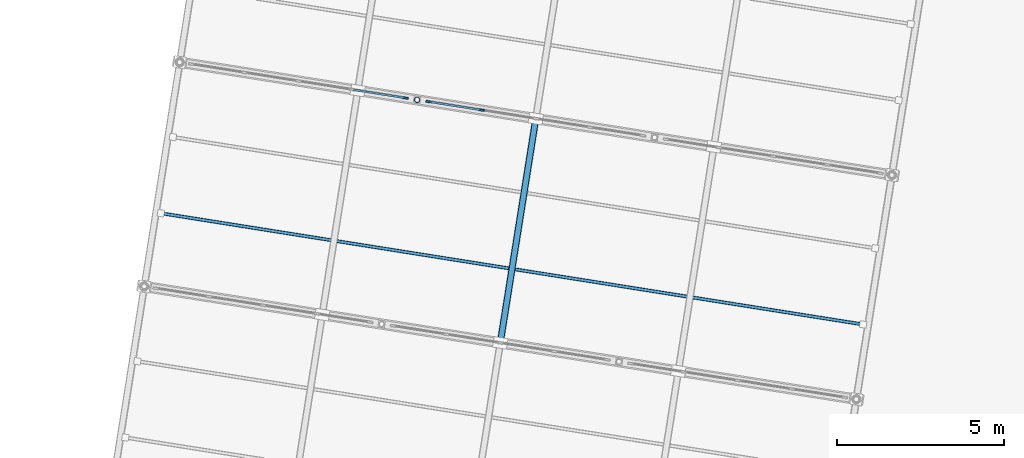
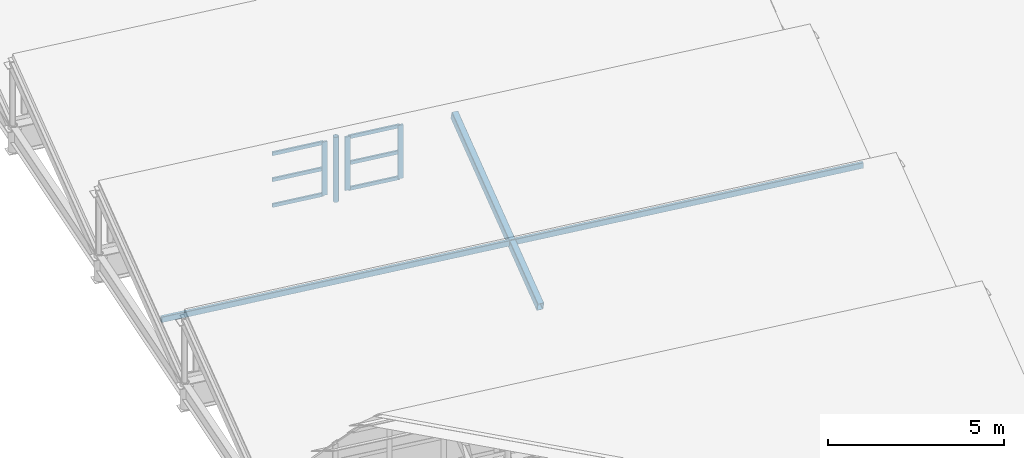
# One storey, part 41 of 65: 12 members, 2 elements without a shape of their own.
"""IFC4 building model written with IfcOpenShell, lengths in metres."""

import ifcopenshell
import ifcopenshell.guid

model = None  # the IFC model being written
_history = None  # IfcOwnerHistory: only IFC2X3 demands one
_inside = {}  # id of a spatial element -> (the spatial element, [elements in it])
_under = {}  # id of a project, library or spatial element -> (it, [spatial elements below it])
_declared = {}  # id of a project -> (the project, [libraries it declares])
_typed = {}  # id of a type object -> (the type object, [elements of that type])
_made_of = {}  # id of a material, layer set ... -> (it, [elements and type objects made of it])


def new_model(schema):
    """Start an empty IFC model of exactly this schema.

    Asked for "IFC4X3", IfcOpenShell would pick the latest addendum, in which some entities
    have other attributes; the version numbers below select the first issue.
    IFC2X3 requires an IfcOwnerHistory on every rooted entity: one is made here for all.
    """
    global model, _history
    if schema == "IFC4X3":
        model = ifcopenshell.file(schema_version=(4, 3, 0, 0))
    else:
        model = ifcopenshell.file(schema=schema)
    _inside.clear()
    _under.clear()
    _declared.clear()
    _typed.clear()
    _made_of.clear()
    _history = None
    if model.schema == "IFC2X3":
        org = make("IfcOrganization", Name="unknown")
        user = make(
            "IfcPersonAndOrganization",
            ThePerson=make("IfcPerson", FamilyName="unknown"),
            TheOrganization=org,
        )
        app = make(
            "IfcApplication",
            ApplicationDeveloper=org,
            Version="unknown",
            ApplicationFullName="unknown",
            ApplicationIdentifier="unknown",
        )
        _history = make(
            "IfcOwnerHistory",
            OwningUser=user,
            OwningApplication=app,
            ChangeAction="ADDED",
            CreationDate=0,
        )
    return model


def make(cls, **values):
    """One entity of the class cls with the attributes given. An attribute that is None is left unset."""
    return model.create_entity(
        cls, **{name: value for name, value in values.items() if value is not None}
    )


def rooted(cls, **values):
    """An entity with a GlobalId (a new one), such as an element, a storey or a relation."""
    return make(cls, GlobalId=ifcopenshell.guid.new(), OwnerHistory=_history, **values)


def si_unit(unit_type, name, prefix=None):
    """IfcSIUnit, for example si_unit("LENGTHUNIT", "METRE", prefix="MILLI")."""
    return make("IfcSIUnit", UnitType=unit_type, Prefix=prefix, Name=name)


def assignment(units):
    """IfcUnitAssignment: the units of a project."""
    return None if units is None else make("IfcUnitAssignment", Units=units)


def point(xyz):
    """IfcCartesianPoint."""
    return None if xyz is None else make("IfcCartesianPoint", Coordinates=xyz)


def direction(xyz):
    """IfcDirection."""
    return None if xyz is None else make("IfcDirection", DirectionRatios=xyz)


def frame(location, z_axis=None, x_axis=None):
    """IfcAxis2Placement3D, a coordinate frame: its origin and axes. An axis left out is left unset."""
    return make(
        "IfcAxis2Placement3D",
        Location=point(location),
        Axis=direction(z_axis),
        RefDirection=direction(x_axis),
    )


def frame_2d(location, x_axis=None):
    """IfcAxis2Placement2D, a coordinate frame in the plane: its origin and x axis."""
    return make(
        "IfcAxis2Placement2D", Location=point(location), RefDirection=direction(x_axis)
    )


def origin():
    """The frame at (0, 0, 0) with its axes left unset."""
    return frame((0.0, 0.0, 0.0))


def origin_2d():
    """The frame at (0, 0) in the plane with its x axis left unset."""
    return frame_2d((0.0, 0.0))


def place(relative_to, where):
    """IfcLocalPlacement: puts the frame where relative to a parent placement (None: the world)."""
    return make(
        "IfcLocalPlacement", PlacementRelTo=relative_to, RelativePlacement=where
    )


def context(
    kind, dimensions, precision=None, world=None, true_north=None, identifier=None
):
    """IfcGeometricRepresentationContext, for example the 3D "Model" context."""
    return make(
        "IfcGeometricRepresentationContext",
        ContextIdentifier=identifier,
        ContextType=kind,
        CoordinateSpaceDimension=dimensions,
        Precision=precision,
        WorldCoordinateSystem=world,
        TrueNorth=true_north,
    )


def subcontext(parent, identifier, kind, view, scale=None):
    """IfcGeometricRepresentationSubContext, for example "Body" below "Model"."""
    return make(
        "IfcGeometricRepresentationSubContext",
        ContextIdentifier=identifier,
        ContextType=kind,
        ParentContext=parent,
        TargetScale=scale,
        TargetView=view,
    )


def project(units=None, contexts=None):
    """IfcProject with its units and contexts."""
    return rooted(
        "IfcProject",
        Name="project",
        RepresentationContexts=contexts,
        UnitsInContext=assignment(units),
    )


def spatial(cls, under=None, at=None, **own):
    """A site, building, storey or space (cls), placed at a placement, below another one or the project."""
    s = rooted(cls, ObjectPlacement=at, **own)
    if under is not None:
        _under.setdefault(under.id(), (under, []))[1].append(s)
    return s


def profile(cls, at=None, kind="AREA", **sizes):
    """A parametric profile (cls). Its sizes go by their IFC names, for example OverallWidth=200.0."""
    return make(cls, ProfileType=kind, Position=at, **sizes)


def rectangle(**sizes):
    """IfcRectangleProfileDef."""
    return profile("IfcRectangleProfileDef", **sizes)


def hollow_rectangle(**sizes):
    """IfcRectangleHollowProfileDef."""
    return profile("IfcRectangleHollowProfileDef", **sizes)


def hollow_circle(**sizes):
    """IfcCircleHollowProfileDef."""
    return profile("IfcCircleHollowProfileDef", **sizes)


def extrude(swept, where, along, depth):
    """IfcExtrudedAreaSolid: the profile swept, set in the frame where, extruded along a direction by depth."""
    return make(
        "IfcExtrudedAreaSolid",
        SweptArea=swept,
        Position=where,
        ExtrudedDirection=direction(along),
        Depth=depth,
    )


def shape(context_of_items, identifier, shape_type, items):
    """IfcShapeRepresentation: the items that make up one representation, for example the "Body"."""
    return make(
        "IfcShapeRepresentation",
        ContextOfItems=context_of_items,
        RepresentationIdentifier=identifier,
        RepresentationType=shape_type,
        Items=items,
    )


def material(Name=None, Category=None):
    """IfcMaterial."""
    return make("IfcMaterial", Name=Name, Category=Category)


def material_profile(
    of_material, cross_section, Name=None, Category=None, Priority=None
):
    """IfcMaterialProfile: a cross section and its material."""
    return make(
        "IfcMaterialProfile",
        Name=Name,
        Material=of_material,
        Profile=cross_section,
        Priority=Priority,
        Category=Category,
    )


def profile_set(profiles, Name=None, composite=None):
    """IfcMaterialProfileSet."""
    return make(
        "IfcMaterialProfileSet",
        Name=Name,
        MaterialProfiles=profiles,
        CompositeProfile=composite,
    )


def made_of(thing, what):
    """Note that an element or type object is made of a material, layer set ...; save() writes the relation."""
    if what is not None:
        _made_of.setdefault(what.id(), (what, []))[1].append(thing)
    return thing


def type_object(cls, material=None, **own):
    """A type object (cls), such as IfcWallType, which elements share."""
    return made_of(rooted(cls, **own), material)


def element(
    cls,
    number,
    at=None,
    inside=None,
    cuts=None,
    type_object=None,
    material=None,
    context=None,
    identifier="Body",
    shape_type=None,
    held_by="IfcProductDefinitionShape",
    body=None,
    shapes=None,
    **own,
):
    """One element of the class cls, such as IfcWall. Its Tag is "e" and its number.

    at: its placement. inside: the storey or other place that contains it. cuts: it is an
    opening in that element (IfcRelVoidsElement). A single representation is given by context,
    identifier, shape_type and body (its items); several are given by shapes. held_by: the class
    of the entity that holds the representations. save() writes the other relations.
    """
    e = rooted(cls, Tag="e%d" % number, ObjectPlacement=at, **own)
    if body is not None:
        shapes = [shape(context, identifier, shape_type, body)]
    if shapes is not None:
        e.Representation = make(held_by, Representations=shapes)
    if inside is not None:
        _inside.setdefault(inside.id(), (inside, []))[1].append(e)
    if cuts is not None:
        rooted(
            "IfcRelVoidsElement", RelatingBuildingElement=cuts, RelatedOpeningElement=e
        )
    if type_object is not None:
        _typed.setdefault(type_object.id(), (type_object, []))[1].append(e)
    return made_of(e, material)


def aggregate(whole, parts):
    """IfcRelAggregates: a whole, such as a stair, and the parts it consists of."""
    return rooted("IfcRelAggregates", RelatingObject=whole, RelatedObjects=parts)


def save(model, path):
    """Write the relations noted so far, then the file.

    IfcRelAggregates (storeys below a building ...), IfcRelContainedInSpatialStructure (elements
    in a storey), IfcRelDefinesByType, IfcRelAssociatesMaterial and IfcRelDeclares: one each for
    every whole, place, type object, material and project.
    """
    for whole, parts in _under.values():
        aggregate(whole, parts)
    for where, things in _inside.values():
        rooted(
            "IfcRelContainedInSpatialStructure",
            RelatedElements=things,
            RelatingStructure=where,
        )
    for kind, things in _typed.values():
        rooted("IfcRelDefinesByType", RelatedObjects=things, RelatingType=kind)
    for what, things in _made_of.values():
        rooted("IfcRelAssociatesMaterial", RelatedObjects=things, RelatingMaterial=what)
    for by, libraries in _declared.values():
        rooted("IfcRelDeclares", RelatingContext=by, RelatedDefinitions=libraries)
    model.write(path)


model = new_model("IFC4")

# Units and contexts
model_context = context("Model", 3, precision=1e-05, world=origin(), true_north=direction((0.0, 1.0)))
body_context = subcontext(model_context, "Body", "Model", "MODEL_VIEW")
ifc_project = project(units=[si_unit("LENGTHUNIT", "METRE"), si_unit("AREAUNIT", "SQUARE_METRE"), si_unit("VOLUMEUNIT", "CUBIC_METRE"), si_unit("PLANEANGLEUNIT", "RADIAN"), si_unit("MASSUNIT", "GRAM", prefix="KILO")], contexts=[model_context])

# Site, building, storey
site_placement = place(None, origin())
site = spatial("IfcSite", under=ifc_project, at=site_placement, CompositionType="ELEMENT")
building_placement = place(site_placement, origin())
building = spatial("IfcBuilding", under=site, at=building_placement, Name="Cinderway Yard Community Centre", CompositionType="ELEMENT")
storey_placement = place(building_placement, frame((0.0, 0.0, 24.300048828125)))
storey = spatial("IfcBuildingStorey", under=building, at=storey_placement, Name="RF", CompositionType="ELEMENT", Elevation=24.300048828125)

# Curtain wall, member
ifc_material_1 = material(Name="Aluminium 6063-T6", Category="aluminium")
curtain_wall_type = type_object("IfcCurtainWallType", Name="ENV-CW-TYPE-23", PredefinedType="USERDEFINED", material=ifc_material_1)
curtain_wall_1_placement = place(storey_placement, origin())
curtain_wall_1 = element("IfcCurtainWall", 1, at=curtain_wall_1_placement, inside=storey, type_object=curtain_wall_type, Name="Sawtooth North-Light Clerestory ENV-CW-RF-ST-0081", ObjectType="GLAZED CURTAIN WALL", PredefinedType="USERDEFINED")
ifc_material_profile_1 = material_profile(ifc_material_1, rectangle(XDim=0.06005859375, YDim=0.159912109375, at=origin_2d()), Name="Aluminium 6063-T6")
ifc_profile_set_1 = profile_set([ifc_material_profile_1], Name="Aluminium 6063-T6")
member_type_1 = type_object("IfcMemberType", Name="ENV-CW-MULL-150", PredefinedType="MULLION", material=ifc_profile_set_1)
member_1_placement = place(storey_placement, frame((129.020263671875, 63.793701171875, -10.199951171875), z_axis=(0.0, 0.0, 1.0), x_axis=(0.15640876877, 0.987692410142, 0.0)))
member_1 = element("IfcMember", 2, at=member_1_placement, type_object=member_type_1, Name="CW-23 mullion 5", PredefinedType="MULLION", context=body_context, shape_type="SweptSolid", body=[
    extrude(rectangle(XDim=0.06005859375, YDim=0.159912109375, at=origin_2d()), origin(), (0.0, 0.0, 1.0), 1.849853515625),
])

# Curtain wall, members
curtain_wall_2_placement = place(storey_placement, origin())
curtain_wall_2 = element("IfcCurtainWall", 3, at=curtain_wall_2_placement, inside=storey, type_object=curtain_wall_type, Name="Sawtooth North-Light Clerestory ENV-CW-RF-ST-0082", ObjectType="GLAZED CURTAIN WALL", PredefinedType="USERDEFINED")
member_2_placement = place(storey_placement, frame((129.711669921875, 63.684326171875, -10.199951171875), z_axis=(0.0, 0.0, 1.0), x_axis=(0.156533911189, 0.98767258474, 0.0)))
member_2 = element("IfcMember", 4, at=member_2_placement, type_object=member_type_1, Name="CW-23 mullion 1", PredefinedType="MULLION", context=body_context, shape_type="SweptSolid", body=[
    extrude(rectangle(XDim=0.06005859375, YDim=0.159912109375, at=origin_2d()), origin(), (0.0, 0.0, 1.0), 1.849853515625),
])
member_3_placement = place(storey_placement, frame((131.302001953125, 63.43212890625, -10.199951171875), z_axis=(0.0, 0.0, 1.0), x_axis=(0.156533911189, 0.98767258474, 0.0)))
member_3 = element("IfcMember", 5, at=member_3_placement, type_object=member_type_1, Name="CW-23 mullion 2", PredefinedType="MULLION", context=body_context, shape_type="SweptSolid", body=[
    extrude(rectangle(XDim=0.06005859375, YDim=0.159912109375, at=origin_2d()), origin(), (0.0, 0.0, 1.0), 1.849853515625),
])

# Member
ifc_material_profile_2 = material_profile(ifc_material_1, rectangle(XDim=0.06005859375, YDim=0.1201171875, at=origin_2d()), Name="Aluminium 6063-T6")
ifc_profile_set_2 = profile_set([ifc_material_profile_2], Name="Aluminium 6063-T6")
member_type_2 = type_object("IfcMemberType", Name="ENV-CW-TRAN-110", PredefinedType="USERDEFINED", material=ifc_profile_set_2)
member_4_placement = place(storey_placement, frame((127.4599609375, 64.040771484375, -10.170166015625), z_axis=(0.987690055006, -0.15642364029, 0.0), x_axis=(0.15642364029, 0.987690055006, 0.0)))
member_4 = element("IfcMember", 6, at=member_4_placement, type_object=member_type_2, Name="CW-23 transom 4.1", ObjectType="TRANSOM", PredefinedType="USERDEFINED", context=body_context, shape_type="SweptSolid", body=[
    extrude(rectangle(XDim=0.06005859375, YDim=0.1201171875, at=origin_2d()), origin(), (0.0, 0.0, 1.0), 1.5498046875),
])

member_5_placement = place(storey_placement, frame((127.4599609375, 64.040771484375, -9.280029296875), z_axis=(0.987690055006, -0.15642364029, 0.0), x_axis=(0.15642364029, 0.987690055006, 0.0)))
member_5 = element("IfcMember", 7, at=member_5_placement, type_object=member_type_2, Name="CW-23 transom 4.2", ObjectType="TRANSOM", PredefinedType="USERDEFINED", context=body_context, shape_type="SweptSolid", body=[
    extrude(rectangle(XDim=0.06005859375, YDim=0.1201171875, at=origin_2d()), origin(), (0.0, 0.0, 1.0), 1.5498046875),
])

member_6_placement = place(storey_placement, frame((127.4599609375, 64.040771484375, -8.380126953125), z_axis=(0.987690055006, -0.15642364029, 0.0), x_axis=(0.15642364029, 0.987690055006, 0.0)))
member_6 = element("IfcMember", 8, at=member_6_placement, type_object=member_type_2, Name="CW-23 transom 4.3", ObjectType="TRANSOM", PredefinedType="USERDEFINED", context=body_context, shape_type="SweptSolid", body=[
    extrude(rectangle(XDim=0.06005859375, YDim=0.1201171875, at=origin_2d()), origin(), (0.0, 0.0, 1.0), 1.5498046875),
])

aggregate(curtain_wall_1, [member_1, member_4, member_5, member_6])

member_7_placement = place(storey_placement, frame((129.7412109375, 63.6796875, -10.170166015625), z_axis=(0.987673426318, -0.156528601046, 0.0), x_axis=(0.156528601046, 0.987673426318, 0.0)))
member_7 = element("IfcMember", 9, at=member_7_placement, type_object=member_type_2, Name="CW-23 transom 1.1", ObjectType="TRANSOM", PredefinedType="USERDEFINED", context=body_context, shape_type="SweptSolid", body=[
    extrude(rectangle(XDim=0.06005859375, YDim=0.1201171875, at=origin_2d()), origin(), (0.0, 0.0, 1.0), 1.55029296875),
])

member_8_placement = place(storey_placement, frame((129.7412109375, 63.6796875, -9.280029296875), z_axis=(0.987673426318, -0.156528601046, 0.0), x_axis=(0.156528601046, 0.987673426318, 0.0)))
member_8 = element("IfcMember", 10, at=member_8_placement, type_object=member_type_2, Name="CW-23 transom 1.2", ObjectType="TRANSOM", PredefinedType="USERDEFINED", context=body_context, shape_type="SweptSolid", body=[
    extrude(rectangle(XDim=0.06005859375, YDim=0.1201171875, at=origin_2d()), origin(), (0.0, 0.0, 1.0), 1.55029296875),
])

member_9_placement = place(storey_placement, frame((129.7412109375, 63.6796875, -8.380126953125), z_axis=(0.987673426318, -0.156528601046, 0.0), x_axis=(0.156528601046, 0.987673426318, 0.0)))
member_9 = element("IfcMember", 11, at=member_9_placement, type_object=member_type_2, Name="CW-23 transom 1.3", ObjectType="TRANSOM", PredefinedType="USERDEFINED", context=body_context, shape_type="SweptSolid", body=[
    extrude(rectangle(XDim=0.06005859375, YDim=0.1201171875, at=origin_2d()), origin(), (0.0, 0.0, 1.0), 1.55029296875),
])

aggregate(curtain_wall_2, [member_2, member_3, member_7, member_8, member_9])

# Members
ifc_material_2 = material(Name="Steel S355", Category="steel")
ifc_material_profile_3 = material_profile(ifc_material_2, hollow_rectangle(XDim=0.10009765625, YDim=0.199951171875, WallThickness=0.008056640625, InnerFilletRadius=0.008056640625, OuterFilletRadius=0.01611328125, at=origin_2d()), Name="Steel S355")
ifc_profile_set_3 = profile_set([ifc_material_profile_3], Name="Steel S355")
member_type_3 = type_object("IfcMemberType", Name="STR-MEM-PURLIN-200", PredefinedType="PURLIN", material=ifc_profile_set_3)
member_10_placement = place(storey_placement, frame((121.68994140625, 60.342041015625, -9.843994140625), z_axis=(0.987688878943, -0.156431066005, 0.0), x_axis=(0.156431066005, 0.987688878943, 0.0)))
element("IfcMember", 12, at=member_10_placement, inside=storey, type_object=member_type_3, Name="Sawtooth roof purlin B4-33", PredefinedType="PURLIN", context=body_context, shape_type="SweptSolid", body=[
    extrude(hollow_rectangle(XDim=0.10009765625, YDim=0.199951171875, WallThickness=0.008056640625, InnerFilletRadius=0.008056640625, OuterFilletRadius=0.01611328125, at=origin_2d()), origin(), (0.0, 0.0, 1.0), 21.30029296875),
])
ifc_material_profile_4 = material_profile(ifc_material_2, hollow_rectangle(XDim=0.199951171875, YDim=0.300048828125, WallThickness=0.012451171875, InnerFilletRadius=0.012451171875, OuterFilletRadius=0.02490234375, at=origin_2d()), Name="Steel S355")
ifc_profile_set_4 = profile_set([ifc_material_profile_4], Name="Steel S355")
member_type_4 = type_object("IfcMemberType", Name="STR-MEM-RAFTER-300", PredefinedType="RAFTER", material=ifc_profile_set_4)
member_11_placement = place(storey_placement, frame((131.85791015625, 56.458984375, -10.6201171875), z_axis=(0.148886343525, 0.939736171001, 0.307780417871), x_axis=(-0.987680746655, 0.156482403761, 0.0)))
element("IfcMember", 13, at=member_11_placement, inside=storey, type_object=member_type_4, Name="Sawtooth raked rafter B4-108", PredefinedType="RAFTER", context=body_context, shape_type="SweptSolid", body=[
    extrude(hollow_rectangle(XDim=0.199951171875, YDim=0.300048828125, WallThickness=0.012451171875, InnerFilletRadius=0.012451171875, OuterFilletRadius=0.02490234375, at=origin_2d()), origin(), (0.0, 0.0, 1.0), 7.147705078125),
])
ifc_material_profile_5 = material_profile(ifc_material_2, hollow_circle(Radius=0.084228515625, WallThickness=0.008056640625, at=origin_2d()), Name="Steel S355")
ifc_profile_set_5 = profile_set([ifc_material_profile_5], Name="Steel S355")
member_type_5 = type_object("IfcMemberType", Name="STR-MEM-STRUT-CHS168", PredefinedType="STRUT", material=ifc_profile_set_5)
member_12_placement = place(storey_placement, frame((129.365966796875, 63.739013671875, -10.5), z_axis=(0.0, 0.0, 1.0), x_axis=(1.0, 0.0, 0.0)))
element("IfcMember", 14, at=member_12_placement, inside=storey, type_object=member_type_5, Name="Sawtooth kingpost B4-072", PredefinedType="STRUT", context=body_context, shape_type="SweptSolid", body=[
    extrude(hollow_circle(Radius=0.084228515625, WallThickness=0.008056640625, at=origin_2d()), origin(), (0.0, 0.0, 1.0), 2.25),
])

save(model, "model.ifc")
